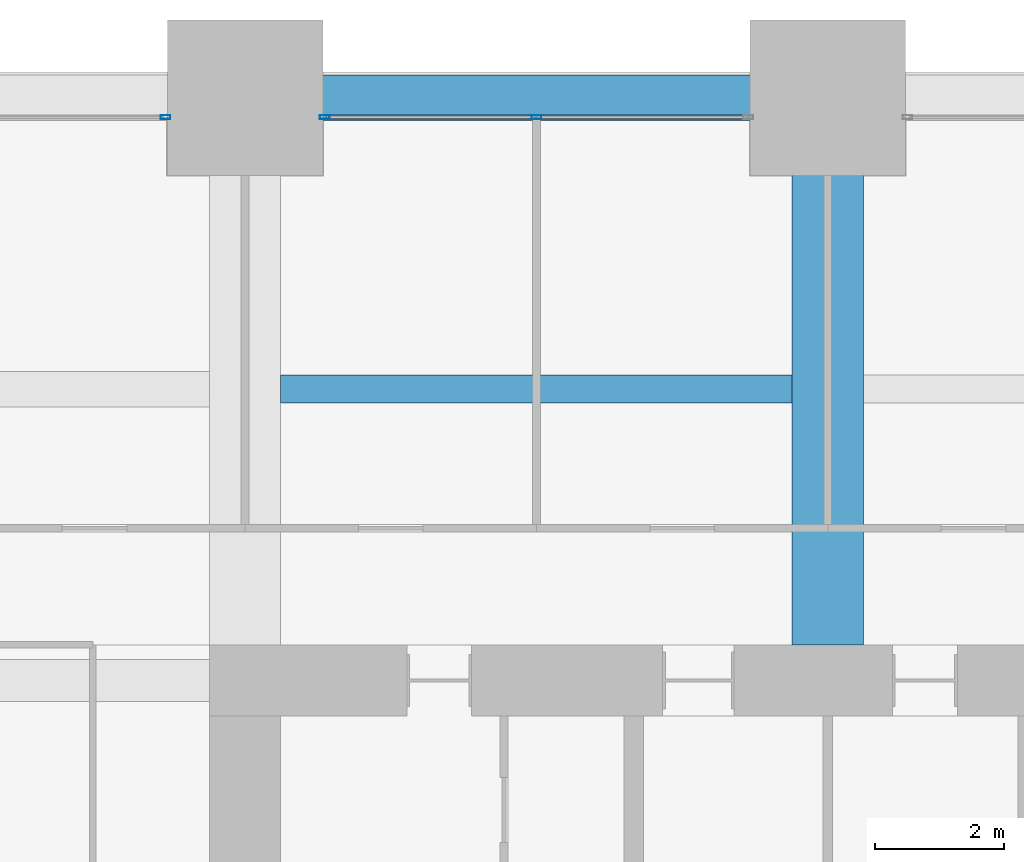
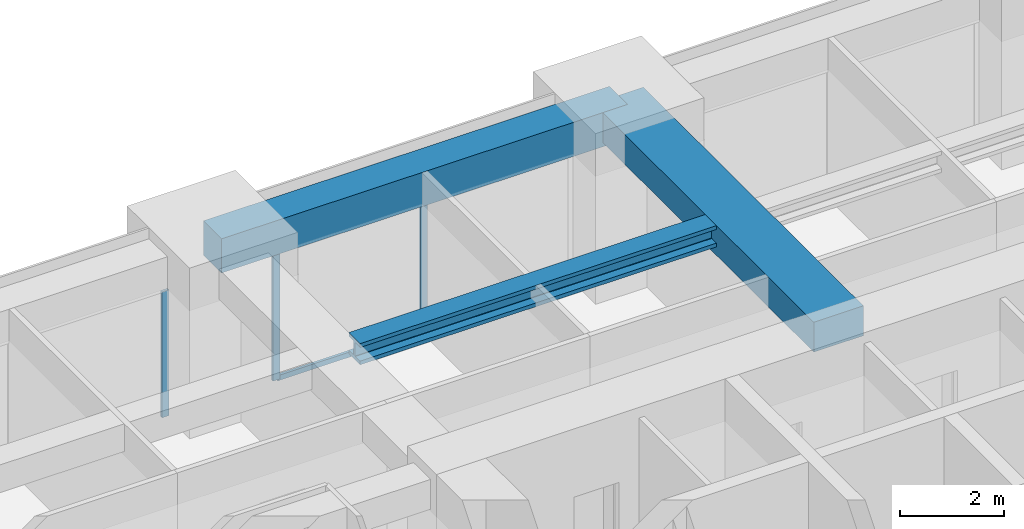
# One storey, part 28 of 40: 4 members, 3 beams, 2 elements without a shape of their own.
"""IFC4 building model written with IfcOpenShell, lengths in metres."""

from ifc_helpers import new_model, si_unit, direction, frame, origin, origin_2d, place, context, subcontext, project, spatial, rectangle, hollow_rectangle, i_section, extrude, material, material_profile, profile_set, type_object, element, aggregate, save


model = new_model("IFC4")

# Units and contexts
model_context = context("Model", 3, precision=1e-05, world=origin(), true_north=direction((0.0, 1.0)))
body_context = subcontext(model_context, "Body", "Model", "MODEL_VIEW")
ifc_project = project(units=[si_unit("LENGTHUNIT", "METRE"), si_unit("AREAUNIT", "SQUARE_METRE"), si_unit("VOLUMEUNIT", "CUBIC_METRE"), si_unit("PLANEANGLEUNIT", "RADIAN"), si_unit("MASSUNIT", "GRAM", prefix="KILO")], contexts=[model_context])

# Site, building, storey
site_placement = place(None, origin())
site = spatial("IfcSite", under=ifc_project, at=site_placement, CompositionType="ELEMENT")
building_placement = place(site_placement, origin())
building = spatial("IfcBuilding", under=site, at=building_placement, Name="Zorevar Civic Tower", CompositionType="ELEMENT")
storey_placement = place(building_placement, frame((0.0, 0.0, 93.0)))
storey = spatial("IfcBuildingStorey", under=building, at=storey_placement, Name="L22", CompositionType="ELEMENT", Elevation=93.0)

# Beam
ifc_material_1 = material(Name="Concrete C50/60", Category="concrete")
ifc_material_profile_1 = material_profile(ifc_material_1, rectangle(XDim=1.10009765625, YDim=0.699951171875, at=origin_2d()), Name="RC 1100x700")
ifc_profile_set_1 = profile_set([ifc_material_profile_1], Name="Concrete C50/60")
beam_type_1 = type_object("IfcBeamType", Name="Beam RC 1100x700", PredefinedType="BEAM", material=ifc_profile_set_1)
beam_1_placement = place(storey_placement, frame((27.0, 36.550048828125, 3.39990234375), z_axis=(0.0, 1.0, 0.0), x_axis=(-1.0, 0.0, 0.0)))
element("IfcBeam", 1, at=beam_1_placement, inside=storey, type_object=beam_type_1, Name="Girder L23", PredefinedType="BEAM", context=body_context, shape_type="SweptSolid", body=[
    extrude(rectangle(XDim=1.10009765625, YDim=0.699951171875, at=origin_2d()), origin(), (0.0, 0.0, 1.0), 8.449951171875),
])

# Curtain wall, member
ifc_material_2 = material(Name="Dark grey solar-control glass in black aluminium frame", Category="aluminium")
curtain_wall_type = type_object("IfcCurtainWallType", Name="Curtain wall CW3 mid zone", PredefinedType="NOTDEFINED", material=ifc_material_2)
curtain_wall_1_placement = place(storey_placement, origin())
curtain_wall_1 = element("IfcCurtainWall", 2, at=curtain_wall_1_placement, inside=storey, type_object=curtain_wall_type, Name="CW3 L22", PredefinedType="NOTDEFINED")
ifc_material_3 = material(Name="Aluminium, black anodised", Category="aluminium")
ifc_material_profile_2 = material_profile(ifc_material_3, hollow_rectangle(XDim=0.06005859375, YDim=0.14990234375, WallThickness=0.00390625, at=origin_2d()), Name="AL 150x60x4")
ifc_profile_set_2 = profile_set([ifc_material_profile_2], Name="Aluminium, black anodised")
member_type_1 = type_object("IfcMemberType", Name="CW3 mullion AL 150x60x4", PredefinedType="MULLION", material=ifc_profile_set_2)
member_1_placement = place(storey_placement, frame((16.77001953125, 44.699951171875, 0.0), z_axis=(0.0, 0.0, 1.0), x_axis=(0.0, 1.0, 0.0)))
member_1 = element("IfcMember", 3, at=member_1_placement, type_object=member_type_1, Name="CW3 mullion 3", PredefinedType="MULLION", context=body_context, shape_type="SweptSolid", body=[
    extrude(hollow_rectangle(XDim=0.06005859375, YDim=0.14990234375, WallThickness=0.00390625, at=origin_2d()), origin(), (0.0, 0.0, 1.0), 2.949951171875),
])
aggregate(curtain_wall_1, [member_1])

# Curtain wall, members
curtain_wall_2_placement = place(storey_placement, origin())
curtain_wall_2 = element("IfcCurtainWall", 4, at=curtain_wall_2_placement, inside=storey, type_object=curtain_wall_type, Name="CW3 L22", PredefinedType="NOTDEFINED")
member_2_placement = place(storey_placement, frame((19.22998046875, 44.699951171875, 0.0), z_axis=(0.0, 0.0, 1.0), x_axis=(0.0, 1.0, 0.0)))
member_2 = element("IfcMember", 5, at=member_2_placement, type_object=member_type_1, Name="CW3 mullion 1", PredefinedType="MULLION", context=body_context, shape_type="SweptSolid", body=[
    extrude(hollow_rectangle(XDim=0.06005859375, YDim=0.14990234375, WallThickness=0.00390625, at=origin_2d()), origin(), (0.0, 0.0, 1.0), 2.949951171875),
])
member_3_placement = place(storey_placement, frame((22.5, 44.699951171875, 0.06005859375), z_axis=(0.0, 0.0, 1.0), x_axis=(0.0, 1.0, 0.0)))
member_3 = element("IfcMember", 6, at=member_3_placement, type_object=member_type_1, Name="CW3 mullion 2", PredefinedType="MULLION", context=body_context, shape_type="SweptSolid", body=[
    extrude(hollow_rectangle(XDim=0.06005859375, YDim=0.14990234375, WallThickness=0.00390625, at=origin_2d()), origin(), (0.0, 0.0, 1.0), 2.889892578125),
])
ifc_material_4 = material(Name="Aluminium, black anodised", Category="aluminium")
ifc_material_profile_3 = material_profile(ifc_material_4, hollow_rectangle(XDim=0.06005859375, YDim=0.1201171875, WallThickness=0.0029296875, at=origin_2d()), Name="AL 120x60x3")
ifc_profile_set_3 = profile_set([ifc_material_profile_3], Name="Aluminium, black anodised")
member_type_2 = type_object("IfcMemberType", Name="CW3 transom AL 120x60x3", PredefinedType="USERDEFINED", material=ifc_profile_set_3)
member_4_placement = place(storey_placement, frame((19.260009765625, 44.699951171875, 0.030029296875), z_axis=(1.0, 0.0, 0.0), x_axis=(0.0, 1.0, 0.0)))
member_4 = element("IfcMember", 7, at=member_4_placement, type_object=member_type_2, Name="CW3 sill transom", ObjectType="TRANSOM", PredefinedType="USERDEFINED", context=body_context, shape_type="SweptSolid", body=[
    extrude(hollow_rectangle(XDim=0.06005859375, YDim=0.1201171875, WallThickness=0.0029296875, at=origin_2d()), origin(), (0.0, 0.0, 1.0), 6.47998046875),
])
aggregate(curtain_wall_2, [member_2, member_3, member_4])

# Beams
ifc_material_5 = material(Name="Steel S460M (HISTAR 460)", Category="steel")
ifc_material_profile_4 = material_profile(ifc_material_5, i_section(OverallWidth=0.431884765625, OverallDepth=0.498046875, WebThickness=0.0556640625, FlangeThickness=0.0888671875, FilletRadius=0.014892578125, at=origin_2d()), Name="HD 400x744")
ifc_profile_set_4 = profile_set([ifc_material_profile_4], Name="Steel S460M (HISTAR 460)")
beam_type_2 = type_object("IfcBeamType", Name="Core bay beam HD 400x744", PredefinedType="BEAM", material=ifc_profile_set_4)
beam_2_placement = place(storey_placement, frame((18.550048828125, 40.5, 3.5009765625), z_axis=(1.0, 0.0, 0.0), x_axis=(0.0, 1.0, 0.0)))
element("IfcBeam", 8, at=beam_2_placement, inside=storey, type_object=beam_type_2, Name="Secondary beam L23", PredefinedType="BEAM", context=body_context, shape_type="SweptSolid", body=[
    extrude(i_section(OverallWidth=0.431884765625, OverallDepth=0.498046875, WebThickness=0.0556640625, FlangeThickness=0.0888671875, FilletRadius=0.014892578125, at=origin_2d()), origin(), (0.0, 0.0, 1.0), 7.89990234375),
])
ifc_material_6 = material(Name="Concrete C50/60", Category="concrete")
ifc_material_profile_5 = material_profile(ifc_material_6, rectangle(XDim=0.699951171875, YDim=0.800048828125, at=origin_2d()), Name="RC 700x800")
ifc_profile_set_5 = profile_set([ifc_material_profile_5], Name="Concrete C50/60")
beam_type_3 = type_object("IfcBeamType", Name="Edge beam RC 700x800", PredefinedType="SPANDREL", material=ifc_profile_set_5)
beam_3_placement = place(storey_placement, frame((18.0, 45.0, 3.35009765625), z_axis=(1.0, 0.0, 0.0), x_axis=(0.0, 1.0, 0.0)))
element("IfcBeam", 9, at=beam_3_placement, inside=storey, type_object=beam_type_3, Name="Edge beam L23", PredefinedType="SPANDREL", context=body_context, shape_type="SweptSolid", body=[
    extrude(rectangle(XDim=0.699951171875, YDim=0.800048828125, at=origin_2d()), origin(), (0.0, 0.0, 1.0), 9.0),
])

save(model, "model.ifc")
